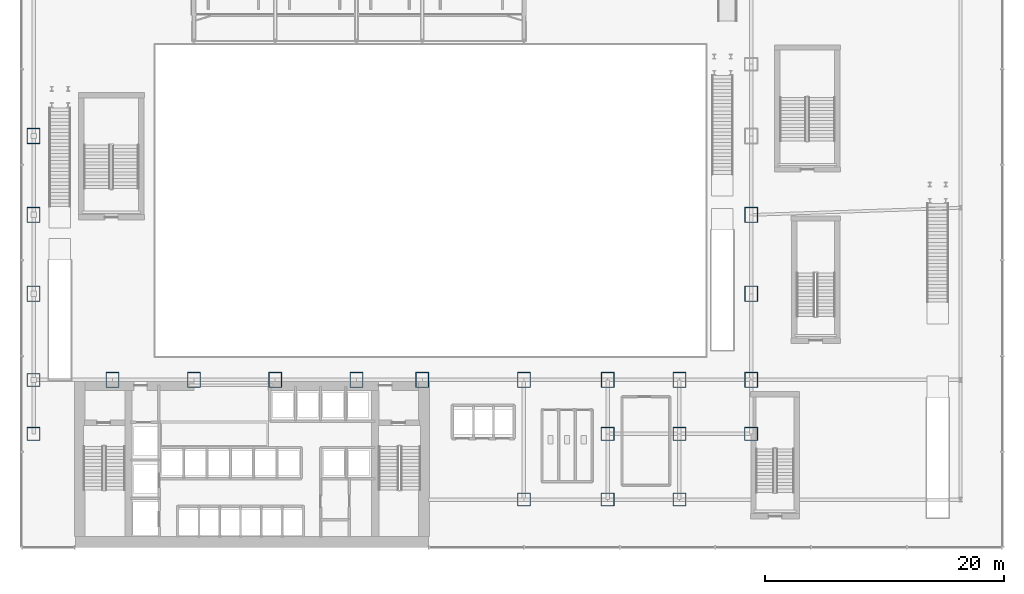
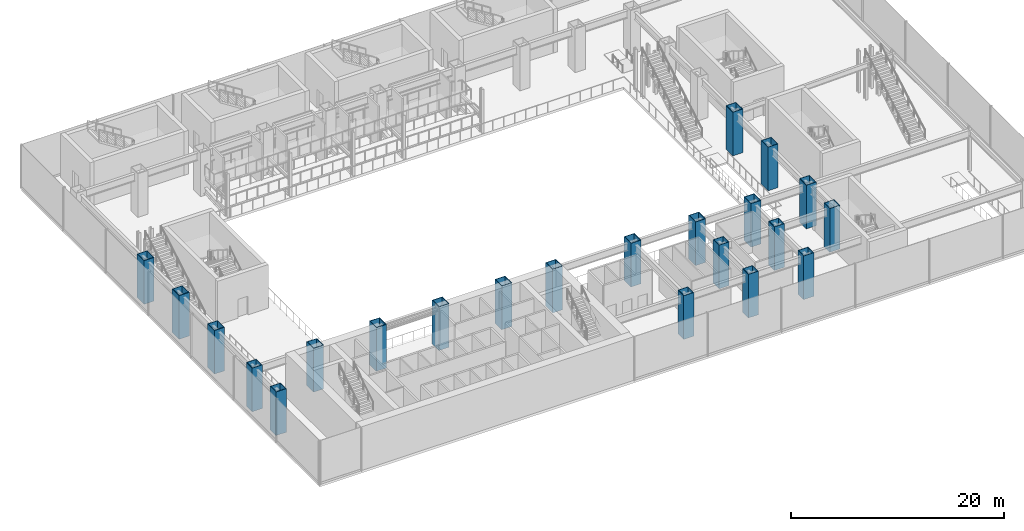
# One storey, part 1 of 40: 22 columns.
"""IFC4 building model written with IfcOpenShell, lengths in metres."""

from ifc_helpers import new_model, si_unit, derived_unit, direction, frame, origin, origin_2d, place, context, subcontext, project, spatial, hollow_rectangle, extrude, source, transform, mapped, material, material_profile, profile_set, type_object, element, save


model = new_model("IFC4")

# Units and contexts
model_context = context("Model", 3, precision=1e-05, world=origin(), true_north=direction((0.0, 1.0)))
body_context = subcontext(model_context, "Body", "Model", "MODEL_VIEW")
ifc_project = project(units=[si_unit("LENGTHUNIT", "METRE"), si_unit("AREAUNIT", "SQUARE_METRE"), si_unit("VOLUMEUNIT", "CUBIC_METRE"), si_unit("PLANEANGLEUNIT", "RADIAN"), si_unit("MASSUNIT", "GRAM", prefix="KILO"), derived_unit("THERMALTRANSMITTANCEUNIT", [(si_unit("POWERUNIT", "WATT"), 1), (si_unit("LENGTHUNIT", "METRE"), -2), (si_unit("THERMODYNAMICTEMPERATUREUNIT", "KELVIN"), -1)])], contexts=[model_context])

# Site, building, storey
site_placement = place(None, origin())
site = spatial("IfcSite", under=ifc_project, at=site_placement, CompositionType="ELEMENT")
building_placement = place(site_placement, origin())
building = spatial("IfcBuilding", under=site, at=building_placement, Name="Skarnbrae Concourse Arena and Tower", CompositionType="ELEMENT")
storey_placement = place(building_placement, frame((0.0, 0.0, 6.0)))
storey = spatial("IfcBuildingStorey", under=building, at=storey_placement, Name="L01", CompositionType="ELEMENT", Elevation=6.0)

# Columns
ifc_material = material(Name="Steel CSA G40.21 350W", Category="steel")
ifc_material_profile_1 = material_profile(ifc_material, hollow_rectangle(XDim=1.10009765625, YDim=1.10009765625, WallThickness=0.050048828125, at=origin_2d()), Name="BOX1100X1100X50")
ifc_profile_set_1 = profile_set([ifc_material_profile_1], Name="Steel CSA G40.21 350W")
column_type_1 = type_object("IfcColumnType", Name="COL-MEGA-BOX1100", PredefinedType="PILASTER", material=ifc_profile_set_1)
shared_shape_1 = source(origin(), body_context, "Body", "SweptSolid", [
    extrude(hollow_rectangle(XDim=1.10009765625, YDim=1.10009765625, WallThickness=0.050048828125, at=origin_2d()), origin(), (0.0, 0.0, 1.0), 5.0),
])
for number, where, z_axis, x_axis, name in (
    (1, (1.0, 9.5, 0.0), (0.0, 0.0, 1.0), (1.0, 0.0, 0.0), "L01 Podium mega-column MC-W0"),
    (2, (1.0, 14.0, 0.0), (0.0, 0.0, 1.0), (1.0, 0.0, 0.0), "L01 Podium mega-column MC-W1"),
    (3, (61.0, 9.5, 0.0), (0.0, 0.0, 1.0), (1.0, 0.0, 0.0), "L01 Podium mega-column MC-E0"),
    (4, (49.0, 9.5, 0.0), (0.0, 0.0, 1.0), (1.0, 0.0, 0.0), "L01 Podium mega-column PC-SE8"),
    (5, (55.0, 9.5, 0.0), (0.0, 0.0, 1.0), (1.0, 0.0, 0.0), "L01 Podium mega-column PC-SE9"),
    (6, (42.0, 4.0, 0.0), (0.0, 0.0, 1.0), (1.0, 0.0, 0.0), "L01 Podium mega-column PC-7B"),
    (7, (49.0, 4.0, 0.0), (0.0, 0.0, 1.0), (1.0, 0.0, 0.0), "L01 Podium mega-column PC-8B"),
    (8, (55.0, 4.0, 0.0), (0.0, 0.0, 1.0), (1.0, 0.0, 0.0), "L01 Podium mega-column PC-9B"),
):
    element("IfcColumn", number, at=place(storey_placement, frame(where, z_axis=z_axis, x_axis=x_axis)), inside=storey, type_object=column_type_1, Name=name, PredefinedType="PILASTER", context=body_context, shape_type="MappedRepresentation", body=[
        mapped(shared_shape_1, transform((0.0, 0.0, 0.0))),
    ])
ifc_material_profile_2 = material_profile(ifc_material, hollow_rectangle(XDim=1.10009765625, YDim=1.300048828125, WallThickness=0.054931640625, at=origin_2d()), Name="BOX1300X1100X55")
ifc_profile_set_2 = profile_set([ifc_material_profile_2], Name="Steel CSA G40.21 350W")
column_type_2 = type_object("IfcColumnType", Name="COL-MEGA-BOX1300", PredefinedType="PILASTER", material=ifc_profile_set_2)
shared_shape_2 = source(origin(), body_context, "Body", "SweptSolid", [
    extrude(hollow_rectangle(XDim=1.10009765625, YDim=1.300048828125, WallThickness=0.054931640625, at=origin_2d()), origin(), (0.0, 0.0, 1.0), 5.0),
])
for number, where, z_axis, x_axis, name in (
    (9, (1.0, 21.199951171875, 0.0), (0.0, 0.0, 1.0), (1.0, 0.0, 0.0), "L01 Podium mega-column MC-W2"),
    (10, (1.0, 27.800048828125, 0.0), (0.0, 0.0, 1.0), (1.0, 0.0, 0.0), "L01 Podium mega-column MC-W3"),
    (11, (1.0, 34.39990234375, 0.0), (0.0, 0.0, 1.0), (1.0, 0.0, 0.0), "L01 Podium mega-column MC-W4"),
    (12, (7.60009765625, 14.0, 0.0), (0.0, 0.0, 1.0), (1.0, 0.0, 0.0), "L01 Podium mega-column MC-S2"),
    (13, (14.39990234375, 14.0, 0.0), (0.0, 0.0, 1.0), (1.0, 0.0, 0.0), "L01 Podium mega-column MC-S3"),
    (14, (21.199951171875, 14.0, 0.0), (0.0, 0.0, 1.0), (1.0, 0.0, 0.0), "L01 Podium mega-column MC-S4"),
    (15, (28.0, 14.0, 0.0), (0.0, 0.0, 1.0), (1.0, 0.0, 0.0), "L01 Podium mega-column MC-S5"),
    (16, (33.5, 14.0, 0.0), (0.0, 0.0, 1.0), (1.0, 0.0, 0.0), "L01 Podium mega-column MC-S6"),
    (17, (42.0, 14.0, 0.0), (0.0, 0.0, 1.0), (1.0, 0.0, 0.0), "L01 Podium mega-column MC-S7"),
    (18, (49.0, 14.0, 0.0), (0.0, 0.0, 1.0), (1.0, 0.0, 0.0), "L01 Podium mega-column MC-S8"),
    (19, (55.0, 14.0, 0.0), (0.0, 0.0, 1.0), (1.0, 0.0, 0.0), "L01 Podium mega-column MC-S9"),
    (20, (61.0, 14.0, 0.0), (0.0, 0.0, 1.0), (1.0, 0.0, 0.0), "L01 Podium mega-column MC-S10"),
    (21, (61.0, 21.199951171875, 0.0), (0.0, 0.0, 1.0), (1.0, 0.0, 0.0), "L01 Podium mega-column MC-E1"),
    (22, (61.0, 27.800048828125, 0.0), (0.0, 0.0, 1.0), (1.0, 0.0, 0.0), "L01 Podium mega-column MC-E2"),
):
    element("IfcColumn", number, at=place(storey_placement, frame(where, z_axis=z_axis, x_axis=x_axis)), inside=storey, type_object=column_type_2, Name=name, PredefinedType="PILASTER", context=body_context, shape_type="MappedRepresentation", body=[
        mapped(shared_shape_2, transform((0.0, 0.0, 0.0))),
    ])

save(model, "model.ifc")
